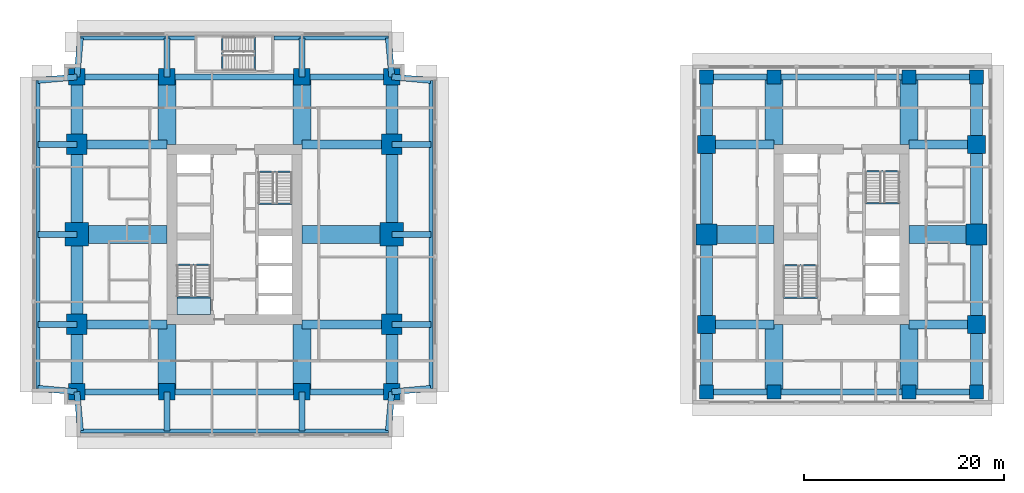
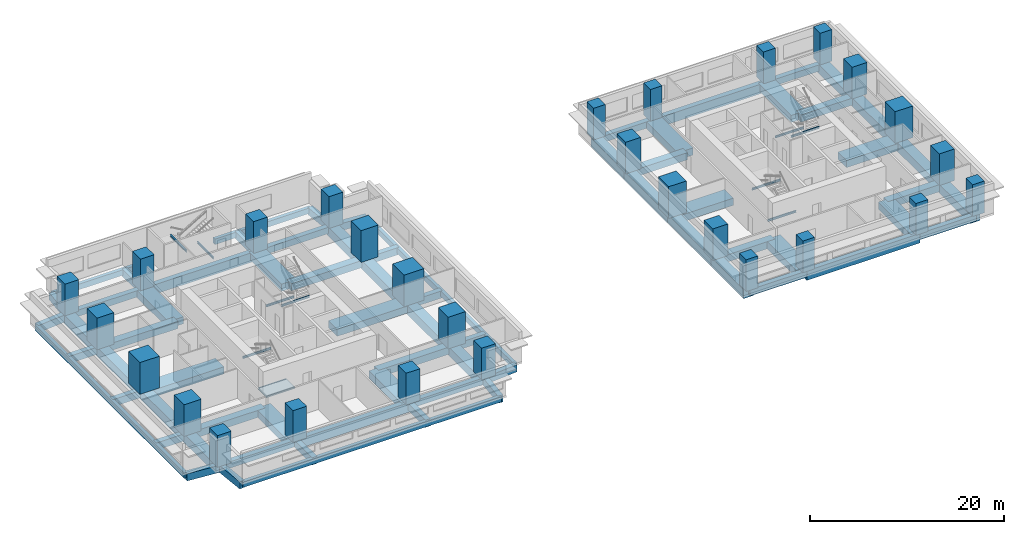
# One storey, part 1 of 11: 81 beams, 28 columns, 1 slab, 1 element without a shape of its own.
"""IFC4 building model written with IfcOpenShell, lengths in metres."""

import ifcopenshell
import ifcopenshell.guid

model = None  # the IFC model being written
_history = None  # IfcOwnerHistory: only IFC2X3 demands one
_inside = {}  # id of a spatial element -> (the spatial element, [elements in it])
_under = {}  # id of a project, library or spatial element -> (it, [spatial elements below it])
_declared = {}  # id of a project -> (the project, [libraries it declares])
_typed = {}  # id of a type object -> (the type object, [elements of that type])
_made_of = {}  # id of a material, layer set ... -> (it, [elements and type objects made of it])


def new_model(schema):
    """Start an empty IFC model of exactly this schema.

    Asked for "IFC4X3", IfcOpenShell would pick the latest addendum, in which some entities
    have other attributes; the version numbers below select the first issue.
    IFC2X3 requires an IfcOwnerHistory on every rooted entity: one is made here for all.
    """
    global model, _history
    if schema == "IFC4X3":
        model = ifcopenshell.file(schema_version=(4, 3, 0, 0))
    else:
        model = ifcopenshell.file(schema=schema)
    _inside.clear()
    _under.clear()
    _declared.clear()
    _typed.clear()
    _made_of.clear()
    _history = None
    if model.schema == "IFC2X3":
        org = make("IfcOrganization", Name="unknown")
        user = make(
            "IfcPersonAndOrganization",
            ThePerson=make("IfcPerson", FamilyName="unknown"),
            TheOrganization=org,
        )
        app = make(
            "IfcApplication",
            ApplicationDeveloper=org,
            Version="unknown",
            ApplicationFullName="unknown",
            ApplicationIdentifier="unknown",
        )
        _history = make(
            "IfcOwnerHistory",
            OwningUser=user,
            OwningApplication=app,
            ChangeAction="ADDED",
            CreationDate=0,
        )
    return model


def make(cls, **values):
    """One entity of the class cls with the attributes given. An attribute that is None is left unset."""
    return model.create_entity(
        cls, **{name: value for name, value in values.items() if value is not None}
    )


def rooted(cls, **values):
    """An entity with a GlobalId (a new one), such as an element, a storey or a relation."""
    return make(cls, GlobalId=ifcopenshell.guid.new(), OwnerHistory=_history, **values)


def si_unit(unit_type, name, prefix=None):
    """IfcSIUnit, for example si_unit("LENGTHUNIT", "METRE", prefix="MILLI")."""
    return make("IfcSIUnit", UnitType=unit_type, Prefix=prefix, Name=name)


def assignment(units):
    """IfcUnitAssignment: the units of a project."""
    return None if units is None else make("IfcUnitAssignment", Units=units)


def point(xyz):
    """IfcCartesianPoint."""
    return None if xyz is None else make("IfcCartesianPoint", Coordinates=xyz)


def direction(xyz):
    """IfcDirection."""
    return None if xyz is None else make("IfcDirection", DirectionRatios=xyz)


def frame(location, z_axis=None, x_axis=None):
    """IfcAxis2Placement3D, a coordinate frame: its origin and axes. An axis left out is left unset."""
    return make(
        "IfcAxis2Placement3D",
        Location=point(location),
        Axis=direction(z_axis),
        RefDirection=direction(x_axis),
    )


def frame_2d(location, x_axis=None):
    """IfcAxis2Placement2D, a coordinate frame in the plane: its origin and x axis."""
    return make(
        "IfcAxis2Placement2D", Location=point(location), RefDirection=direction(x_axis)
    )


def origin():
    """The frame at (0, 0, 0) with its axes left unset."""
    return frame((0.0, 0.0, 0.0))


def origin_2d():
    """The frame at (0, 0) in the plane with its x axis left unset."""
    return frame_2d((0.0, 0.0))


def place(relative_to, where):
    """IfcLocalPlacement: puts the frame where relative to a parent placement (None: the world)."""
    return make(
        "IfcLocalPlacement", PlacementRelTo=relative_to, RelativePlacement=where
    )


def context(
    kind, dimensions, precision=None, world=None, true_north=None, identifier=None
):
    """IfcGeometricRepresentationContext, for example the 3D "Model" context."""
    return make(
        "IfcGeometricRepresentationContext",
        ContextIdentifier=identifier,
        ContextType=kind,
        CoordinateSpaceDimension=dimensions,
        Precision=precision,
        WorldCoordinateSystem=world,
        TrueNorth=true_north,
    )


def subcontext(parent, identifier, kind, view, scale=None):
    """IfcGeometricRepresentationSubContext, for example "Body" below "Model"."""
    return make(
        "IfcGeometricRepresentationSubContext",
        ContextIdentifier=identifier,
        ContextType=kind,
        ParentContext=parent,
        TargetScale=scale,
        TargetView=view,
    )


def project(units=None, contexts=None):
    """IfcProject with its units and contexts."""
    return rooted(
        "IfcProject",
        Name="project",
        RepresentationContexts=contexts,
        UnitsInContext=assignment(units),
    )


def spatial(cls, under=None, at=None, **own):
    """A site, building, storey or space (cls), placed at a placement, below another one or the project."""
    s = rooted(cls, ObjectPlacement=at, **own)
    if under is not None:
        _under.setdefault(under.id(), (under, []))[1].append(s)
    return s


def polyline(points):
    """IfcPolyline through the points."""
    return make("IfcPolyline", Points=[point(p) for p in points])


def profile(cls, at=None, kind="AREA", **sizes):
    """A parametric profile (cls). Its sizes go by their IFC names, for example OverallWidth=200.0."""
    return make(cls, ProfileType=kind, Position=at, **sizes)


def rectangle(**sizes):
    """IfcRectangleProfileDef."""
    return profile("IfcRectangleProfileDef", **sizes)


def i_section(**sizes):
    """IfcIShapeProfileDef."""
    return profile("IfcIShapeProfileDef", **sizes)


def outline(outer, holes=None, kind="AREA"):
    """IfcArbitraryClosedProfileDef: a profile drawn as a closed curve; with holes, ...WithVoids."""
    if holes is None:
        return make("IfcArbitraryClosedProfileDef", ProfileType=kind, OuterCurve=outer)
    return make(
        "IfcArbitraryProfileDefWithVoids",
        ProfileType=kind,
        OuterCurve=outer,
        InnerCurves=holes,
    )


def extrude(swept, where, along, depth):
    """IfcExtrudedAreaSolid: the profile swept, set in the frame where, extruded along a direction by depth."""
    return make(
        "IfcExtrudedAreaSolid",
        SweptArea=swept,
        Position=where,
        ExtrudedDirection=direction(along),
        Depth=depth,
    )


def shape(context_of_items, identifier, shape_type, items):
    """IfcShapeRepresentation: the items that make up one representation, for example the "Body"."""
    return make(
        "IfcShapeRepresentation",
        ContextOfItems=context_of_items,
        RepresentationIdentifier=identifier,
        RepresentationType=shape_type,
        Items=items,
    )


def material(Name=None, Category=None):
    """IfcMaterial."""
    return make("IfcMaterial", Name=Name, Category=Category)


def layer(
    of_material, thickness, ventilated=None, Name=None, Category=None, Priority=None
):
    """IfcMaterialLayer: one layer of a wall or slab, of a material (None: an air gap)."""
    return make(
        "IfcMaterialLayer",
        Material=of_material,
        LayerThickness=thickness,
        IsVentilated=ventilated,
        Name=Name,
        Category=Category,
        Priority=Priority,
    )


def layer_set(layers, Name=None):
    """IfcMaterialLayerSet."""
    return make("IfcMaterialLayerSet", MaterialLayers=layers, LayerSetName=Name)


def material_profile(
    of_material, cross_section, Name=None, Category=None, Priority=None
):
    """IfcMaterialProfile: a cross section and its material."""
    return make(
        "IfcMaterialProfile",
        Name=Name,
        Material=of_material,
        Profile=cross_section,
        Priority=Priority,
        Category=Category,
    )


def profile_set(profiles, Name=None, composite=None):
    """IfcMaterialProfileSet."""
    return make(
        "IfcMaterialProfileSet",
        Name=Name,
        MaterialProfiles=profiles,
        CompositeProfile=composite,
    )


def made_of(thing, what):
    """Note that an element or type object is made of a material, layer set ...; save() writes the relation."""
    if what is not None:
        _made_of.setdefault(what.id(), (what, []))[1].append(thing)
    return thing


def type_object(cls, material=None, **own):
    """A type object (cls), such as IfcWallType, which elements share."""
    return made_of(rooted(cls, **own), material)


def element(
    cls,
    number,
    at=None,
    inside=None,
    cuts=None,
    type_object=None,
    material=None,
    context=None,
    identifier="Body",
    shape_type=None,
    held_by="IfcProductDefinitionShape",
    body=None,
    shapes=None,
    **own,
):
    """One element of the class cls, such as IfcWall. Its Tag is "e" and its number.

    at: its placement. inside: the storey or other place that contains it. cuts: it is an
    opening in that element (IfcRelVoidsElement). A single representation is given by context,
    identifier, shape_type and body (its items); several are given by shapes. held_by: the class
    of the entity that holds the representations. save() writes the other relations.
    """
    e = rooted(cls, Tag="e%d" % number, ObjectPlacement=at, **own)
    if body is not None:
        shapes = [shape(context, identifier, shape_type, body)]
    if shapes is not None:
        e.Representation = make(held_by, Representations=shapes)
    if inside is not None:
        _inside.setdefault(inside.id(), (inside, []))[1].append(e)
    if cuts is not None:
        rooted(
            "IfcRelVoidsElement", RelatingBuildingElement=cuts, RelatedOpeningElement=e
        )
    if type_object is not None:
        _typed.setdefault(type_object.id(), (type_object, []))[1].append(e)
    return made_of(e, material)


def aggregate(whole, parts):
    """IfcRelAggregates: a whole, such as a stair, and the parts it consists of."""
    return rooted("IfcRelAggregates", RelatingObject=whole, RelatedObjects=parts)


def save(model, path):
    """Write the relations noted so far, then the file.

    IfcRelAggregates (storeys below a building ...), IfcRelContainedInSpatialStructure (elements
    in a storey), IfcRelDefinesByType, IfcRelAssociatesMaterial and IfcRelDeclares: one each for
    every whole, place, type object, material and project.
    """
    for whole, parts in _under.values():
        aggregate(whole, parts)
    for where, things in _inside.values():
        rooted(
            "IfcRelContainedInSpatialStructure",
            RelatedElements=things,
            RelatingStructure=where,
        )
    for kind, things in _typed.values():
        rooted("IfcRelDefinesByType", RelatedObjects=things, RelatingType=kind)
    for what, things in _made_of.values():
        rooted("IfcRelAssociatesMaterial", RelatedObjects=things, RelatingMaterial=what)
    for by, libraries in _declared.values():
        rooted("IfcRelDeclares", RelatingContext=by, RelatedDefinitions=libraries)
    model.write(path)


model = new_model("IFC4")

# Units and contexts
model_context = context("Model", 3, precision=1e-05, world=origin(), true_north=direction((0.0, 1.0)))
body_context = subcontext(model_context, "Body", "Model", "MODEL_VIEW")
ifc_project = project(units=[si_unit("LENGTHUNIT", "METRE"), si_unit("AREAUNIT", "SQUARE_METRE"), si_unit("VOLUMEUNIT", "CUBIC_METRE"), si_unit("PLANEANGLEUNIT", "RADIAN"), si_unit("MASSUNIT", "GRAM", prefix="KILO")], contexts=[model_context])

# Site, building, storey
site_placement = place(None, origin())
site = spatial("IfcSite", under=ifc_project, at=site_placement, CompositionType="ELEMENT")
building_placement = place(site_placement, origin())
building = spatial("IfcBuilding", under=site, at=building_placement, Name="Namib Vertical Campus", CompositionType="ELEMENT")
storey_placement = place(building_placement, frame((0.0, 0.0, 197.0)))
storey = spatial("IfcBuildingStorey", under=building, at=storey_placement, Name="L46", CompositionType="ELEMENT", Elevation=197.0)

# Columns
ifc_material_1 = material(Name="Concrete C60/75", Category="concrete")
ifc_material_profile_1 = material_profile(ifc_material_1, rectangle(XDim=1.39990234375, YDim=1.39990234375, at=origin_2d()))
ifc_profile_set_1 = profile_set([ifc_material_profile_1], Name="Concrete C60/75")
column_type_1 = type_object("IfcColumnType", Name="Column RC 1400x1400", PredefinedType="COLUMN", material=ifc_profile_set_1)
for number, where, z_axis, x_axis, name in (
    (1, (67.5, 4.5, 0.0), (0.0, 0.0, 1.0), (1.0, 0.0, 0.0), "Column C140 L46"),
    (2, (74.25, 4.5, 0.0), (0.0, 0.0, 1.0), (1.0, 0.0, 0.0), "Column C140 L46"),
    (3, (87.75, 4.5, 0.0), (0.0, 0.0, 1.0), (1.0, 0.0, 0.0), "Column C140 L46"),
    (4, (94.5, 4.5, 0.0), (0.0, 0.0, 1.0), (1.0, 0.0, 0.0), "Column C140 L46"),
    (5, (67.5, 36.0, 0.0), (0.0, 0.0, 1.0), (1.0, 0.0, 0.0), "Column C140 L46"),
    (6, (74.25, 36.0, 0.0), (0.0, 0.0, 1.0), (1.0, 0.0, 0.0), "Column C140 L46"),
    (7, (87.75, 36.0, 0.0), (0.0, 0.0, 1.0), (1.0, 0.0, 0.0), "Column C140 L46"),
    (8, (94.5, 36.0, 0.0), (0.0, 0.0, 1.0), (1.0, 0.0, 0.0), "Column C140 L46"),
):
    element("IfcColumn", number, at=place(storey_placement, frame(where, z_axis=z_axis, x_axis=x_axis)), inside=storey, type_object=column_type_1, Name=name, PredefinedType="COLUMN", context=body_context, shape_type="SweptSolid", body=[
        extrude(rectangle(XDim=1.39990234375, YDim=1.39990234375, at=origin_2d()), origin(), (0.0, 0.0, 1.0), 4.0),
    ])
ifc_material_2 = material(Name="Concrete C60/75", Category="concrete")
ifc_material_profile_2 = material_profile(ifc_material_2, rectangle(XDim=1.64990234375, YDim=1.64990234375, at=origin_2d()))
ifc_profile_set_2 = profile_set([ifc_material_profile_2], Name="Concrete C60/75")
column_type_2 = type_object("IfcColumnType", Name="Column RC 1650x1650", PredefinedType="COLUMN", material=ifc_profile_set_2)
for number, where, z_axis, x_axis, name in (
    (9, (4.5, 4.5, 0.0), (0.0, 0.0, 1.0), (1.0, 0.0, 0.0), "Column C165 L46"),
    (10, (13.5, 4.5, 0.0), (0.0, 0.0, 1.0), (1.0, 0.0, 0.0), "Column C165 L46"),
    (11, (27.0, 4.5, 0.0), (0.0, 0.0, 1.0), (1.0, 0.0, 0.0), "Column C165 L46"),
    (12, (36.0, 4.5, 0.0), (0.0, 0.0, 1.0), (1.0, 0.0, 0.0), "Column C165 L46"),
    (13, (4.5, 36.0, 0.0), (0.0, 0.0, 1.0), (1.0, 0.0, 0.0), "Column C165 L46"),
    (14, (13.5, 36.0, 0.0), (0.0, 0.0, 1.0), (1.0, 0.0, 0.0), "Column C165 L46"),
    (15, (27.0, 36.0, 0.0), (0.0, 0.0, 1.0), (1.0, 0.0, 0.0), "Column C165 L46"),
    (16, (36.0, 36.0, 0.0), (0.0, 0.0, 1.0), (1.0, 0.0, 0.0), "Column C165 L46"),
):
    element("IfcColumn", number, at=place(storey_placement, frame(where, z_axis=z_axis, x_axis=x_axis)), inside=storey, type_object=column_type_2, Name=name, PredefinedType="COLUMN", context=body_context, shape_type="SweptSolid", body=[
        extrude(rectangle(XDim=1.64990234375, YDim=1.64990234375, at=origin_2d()), origin(), (0.0, 0.0, 1.0), 4.0),
    ])
ifc_material_3 = material(Name="Concrete C60/75", Category="concrete")
ifc_material_profile_3 = material_profile(ifc_material_3, rectangle(XDim=1.800048828125, YDim=1.800048828125, at=origin_2d()))
ifc_profile_set_3 = profile_set([ifc_material_profile_3], Name="Concrete C60/75")
column_type_3 = type_object("IfcColumnType", Name="Column RC 1800x1800", PredefinedType="COLUMN", material=ifc_profile_set_3)
for number, where, z_axis, x_axis, name in (
    (17, (67.5, 11.25, 0.0), (0.0, 0.0, 1.0), (1.0, 0.0, 0.0), "Column C180 L46"),
    (18, (94.5, 11.25, 0.0), (0.0, 0.0, 1.0), (1.0, 0.0, 0.0), "Column C180 L46"),
    (19, (67.5, 29.25, 0.0), (0.0, 0.0, 1.0), (1.0, 0.0, 0.0), "Column C180 L46"),
    (20, (94.5, 29.25, 0.0), (0.0, 0.0, 1.0), (1.0, 0.0, 0.0), "Column C180 L46"),
):
    element("IfcColumn", number, at=place(storey_placement, frame(where, z_axis=z_axis, x_axis=x_axis)), inside=storey, type_object=column_type_3, Name=name, PredefinedType="COLUMN", context=body_context, shape_type="SweptSolid", body=[
        extrude(rectangle(XDim=1.800048828125, YDim=1.800048828125, at=origin_2d()), origin(), (0.0, 0.0, 1.0), 4.0),
    ])
ifc_material_4 = material(Name="Concrete C60/75", Category="concrete")
ifc_material_profile_4 = material_profile(ifc_material_4, rectangle(XDim=2.050048828125, YDim=2.050048828125, at=origin_2d()))
ifc_profile_set_4 = profile_set([ifc_material_profile_4], Name="Concrete C60/75")
column_type_4 = type_object("IfcColumnType", Name="Column RC 2050x2050", PredefinedType="COLUMN", material=ifc_profile_set_4)
for number, where, z_axis, x_axis, name in (
    (21, (4.5, 11.25, 0.0), (0.0, 0.0, 1.0), (1.0, 0.0, 0.0), "Column C205 L46"),
    (22, (36.0, 11.25, 0.0), (0.0, 0.0, 1.0), (1.0, 0.0, 0.0), "Column C205 L46"),
    (23, (4.5, 29.25, 0.0), (0.0, 0.0, 1.0), (1.0, 0.0, 0.0), "Column C205 L46"),
    (24, (36.0, 29.25, 0.0), (0.0, 0.0, 1.0), (1.0, 0.0, 0.0), "Column C205 L46"),
):
    element("IfcColumn", number, at=place(storey_placement, frame(where, z_axis=z_axis, x_axis=x_axis)), inside=storey, type_object=column_type_4, Name=name, PredefinedType="COLUMN", context=body_context, shape_type="SweptSolid", body=[
        extrude(rectangle(XDim=2.050048828125, YDim=2.050048828125, at=origin_2d()), origin(), (0.0, 0.0, 1.0), 4.0),
    ])
ifc_material_5 = material(Name="Concrete C60/75", Category="concrete")
ifc_material_profile_5 = material_profile(ifc_material_5, rectangle(XDim=2.10009765625, YDim=2.10009765625, at=origin_2d()))
ifc_profile_set_5 = profile_set([ifc_material_profile_5], Name="Concrete C60/75")
column_type_5 = type_object("IfcColumnType", Name="Column RC 2100x2100", PredefinedType="COLUMN", material=ifc_profile_set_5)
for number, where, z_axis, x_axis, name in (
    (25, (67.5, 20.25, 0.0), (0.0, 0.0, 1.0), (1.0, 0.0, 0.0), "Column C210 L46"),
    (26, (94.5, 20.25, 0.0), (0.0, 0.0, 1.0), (1.0, 0.0, 0.0), "Column C210 L46"),
):
    element("IfcColumn", number, at=place(storey_placement, frame(where, z_axis=z_axis, x_axis=x_axis)), inside=storey, type_object=column_type_5, Name=name, PredefinedType="COLUMN", context=body_context, shape_type="SweptSolid", body=[
        extrude(rectangle(XDim=2.10009765625, YDim=2.10009765625, at=origin_2d()), origin(), (0.0, 0.0, 1.0), 4.0),
    ])
ifc_material_6 = material(Name="Concrete C60/75", Category="concrete")
ifc_material_profile_6 = material_profile(ifc_material_6, rectangle(XDim=2.35009765625, YDim=2.35009765625, at=origin_2d()))
ifc_profile_set_6 = profile_set([ifc_material_profile_6], Name="Concrete C60/75")
column_type_6 = type_object("IfcColumnType", Name="Column RC 2350x2350", PredefinedType="COLUMN", material=ifc_profile_set_6)
for number, where, z_axis, x_axis, name in (
    (27, (4.5, 20.25, 0.0), (0.0, 0.0, 1.0), (1.0, 0.0, 0.0), "Column C235 L46"),
    (28, (36.0, 20.25, 0.0), (0.0, 0.0, 1.0), (1.0, 0.0, 0.0), "Column C235 L46"),
):
    element("IfcColumn", number, at=place(storey_placement, frame(where, z_axis=z_axis, x_axis=x_axis)), inside=storey, type_object=column_type_6, Name=name, PredefinedType="COLUMN", context=body_context, shape_type="SweptSolid", body=[
        extrude(rectangle(XDim=2.35009765625, YDim=2.35009765625, at=origin_2d()), origin(), (0.0, 0.0, 1.0), 4.0),
    ])

# Beams
ifc_material_7 = material(Name="Concrete C40/50", Category="concrete")
ifc_material_profile_7 = material_profile(ifc_material_7, rectangle(XDim=0.60009765625, YDim=0.89990234375, at=origin_2d()))
ifc_profile_set_7 = profile_set([ifc_material_profile_7], Name="Concrete C40/50")
beam_type_1 = type_object("IfcBeamType", Name="Cantilever girder RC 600x900", PredefinedType="BEAM", material=ifc_profile_set_7)
beam_1_placement = place(storey_placement, frame((4.5, 4.5, -0.699951171875), z_axis=(0.089411326146, -0.995994786511, 0.0), x_axis=(0.995994786511, 0.089411326146, 0.0)))
element("IfcBeam", 29, at=beam_1_placement, inside=storey, type_object=beam_type_1, Name="Beam B3 L46", PredefinedType="BEAM", context=body_context, shape_type="SweptSolid", body=[
    extrude(rectangle(XDim=0.60009765625, YDim=0.89990234375, at=origin_2d()), origin(), (0.0, 0.0, 1.0), 3.91552734375),
])
for number, where, z_axis, x_axis, name in (
    (30, (13.5, 4.5, -0.699951171875), (0.0, -1.0, 0.0), (1.0, 0.0, 0.0), "Beam B3 L46"),
    (31, (27.0, 4.5, -0.699951171875), (0.0, -1.0, 0.0), (1.0, 0.0, 0.0), "Beam B3 L46"),
):
    element("IfcBeam", number, at=place(storey_placement, frame(where, z_axis=z_axis, x_axis=x_axis)), inside=storey, type_object=beam_type_1, Name=name, PredefinedType="BEAM", context=body_context, shape_type="SweptSolid", body=[
        extrude(rectangle(XDim=0.60009765625, YDim=0.89990234375, at=origin_2d()), origin(), (0.0, 0.0, 1.0), 3.89990234375),
    ])
for number, where, z_axis, x_axis, name in (
    (32, (36.0, 4.5, -0.699951171875), (-0.089411326146, -0.995994786511, 0.0), (0.995994786511, -0.089411326146, 0.0), "Beam B3 L46"),
    (33, (4.5, 36.0, -0.699951171875), (0.089411326146, 0.995994786511, 0.0), (-0.995994786511, 0.089411326146, 0.0), "Beam B3 L46"),
):
    element("IfcBeam", number, at=place(storey_placement, frame(where, z_axis=z_axis, x_axis=x_axis)), inside=storey, type_object=beam_type_1, Name=name, PredefinedType="BEAM", context=body_context, shape_type="SweptSolid", body=[
        extrude(rectangle(XDim=0.60009765625, YDim=0.89990234375, at=origin_2d()), origin(), (0.0, 0.0, 1.0), 3.91552734375),
    ])
for number, where, z_axis, x_axis, name in (
    (34, (13.5, 36.0, -0.699951171875), (0.0, 1.0, 0.0), (-1.0, 0.0, 0.0), "Beam B3 L46"),
    (35, (27.0, 36.0, -0.699951171875), (0.0, 1.0, 0.0), (-1.0, 0.0, 0.0), "Beam B3 L46"),
):
    element("IfcBeam", number, at=place(storey_placement, frame(where, z_axis=z_axis, x_axis=x_axis)), inside=storey, type_object=beam_type_1, Name=name, PredefinedType="BEAM", context=body_context, shape_type="SweptSolid", body=[
        extrude(rectangle(XDim=0.60009765625, YDim=0.89990234375, at=origin_2d()), origin(), (0.0, 0.0, 1.0), 3.89990234375),
    ])
for number, where, z_axis, x_axis, name in (
    (36, (36.0, 36.0, -0.699951171875), (-0.089411326146, 0.995994786511, 0.0), (-0.995994786511, -0.089411326146, 0.0), "Beam B3 L46"),
    (37, (4.5, 4.5, -0.699951171875), (-0.995994786511, 0.089411326146, 0.0), (-0.089411326146, -0.995994786511, 0.0), "Beam B3 L46"),
):
    element("IfcBeam", number, at=place(storey_placement, frame(where, z_axis=z_axis, x_axis=x_axis)), inside=storey, type_object=beam_type_1, Name=name, PredefinedType="BEAM", context=body_context, shape_type="SweptSolid", body=[
        extrude(rectangle(XDim=0.60009765625, YDim=0.89990234375, at=origin_2d()), origin(), (0.0, 0.0, 1.0), 3.91552734375),
    ])
for number, where, z_axis, x_axis, name in (
    (38, (4.5, 11.25, -0.699951171875), (-1.0, 0.0, 0.0), (0.0, -1.0, 0.0), "Beam B3 L46"),
    (39, (4.5, 20.25, -0.699951171875), (-1.0, 0.0, 0.0), (0.0, -1.0, 0.0), "Beam B3 L46"),
    (40, (4.5, 29.25, -0.699951171875), (-1.0, 0.0, 0.0), (0.0, -1.0, 0.0), "Beam B3 L46"),
):
    element("IfcBeam", number, at=place(storey_placement, frame(where, z_axis=z_axis, x_axis=x_axis)), inside=storey, type_object=beam_type_1, Name=name, PredefinedType="BEAM", context=body_context, shape_type="SweptSolid", body=[
        extrude(rectangle(XDim=0.60009765625, YDim=0.89990234375, at=origin_2d()), origin(), (0.0, 0.0, 1.0), 3.89990234375),
    ])
for number, where, z_axis, x_axis, name in (
    (41, (4.5, 36.0, -0.699951171875), (-0.995994786511, -0.089411326146, 0.0), (0.089411326146, -0.995994786511, 0.0), "Beam B3 L46"),
    (42, (36.0, 4.5, -0.699951171875), (0.995994786511, 0.089411326146, 0.0), (-0.089411326146, 0.995994786511, 0.0), "Beam B3 L46"),
):
    element("IfcBeam", number, at=place(storey_placement, frame(where, z_axis=z_axis, x_axis=x_axis)), inside=storey, type_object=beam_type_1, Name=name, PredefinedType="BEAM", context=body_context, shape_type="SweptSolid", body=[
        extrude(rectangle(XDim=0.60009765625, YDim=0.89990234375, at=origin_2d()), origin(), (0.0, 0.0, 1.0), 3.91552734375),
    ])
for number, where, z_axis, x_axis, name in (
    (43, (36.0, 11.25, -0.699951171875), (1.0, 0.0, 0.0), (0.0, 1.0, 0.0), "Beam B3 L46"),
    (44, (36.0, 20.25, -0.699951171875), (1.0, 0.0, 0.0), (0.0, 1.0, 0.0), "Beam B3 L46"),
    (45, (36.0, 29.25, -0.699951171875), (1.0, 0.0, 0.0), (0.0, 1.0, 0.0), "Beam B3 L46"),
):
    element("IfcBeam", number, at=place(storey_placement, frame(where, z_axis=z_axis, x_axis=x_axis)), inside=storey, type_object=beam_type_1, Name=name, PredefinedType="BEAM", context=body_context, shape_type="SweptSolid", body=[
        extrude(rectangle(XDim=0.60009765625, YDim=0.89990234375, at=origin_2d()), origin(), (0.0, 0.0, 1.0), 3.89990234375),
    ])
beam_2_placement = place(storey_placement, frame((36.0, 36.0, -0.699951171875), z_axis=(0.995994786511, -0.089411326146, 0.0), x_axis=(0.089411326146, 0.995994786511, 0.0)))
element("IfcBeam", 46, at=beam_2_placement, inside=storey, type_object=beam_type_1, Name="Beam B3 L46", PredefinedType="BEAM", context=body_context, shape_type="SweptSolid", body=[
    extrude(rectangle(XDim=0.60009765625, YDim=0.89990234375, at=origin_2d()), origin(), (0.0, 0.0, 1.0), 3.91552734375),
])
ifc_material_8 = material(Name="Concrete C40/50", Category="concrete")
ifc_material_profile_8 = material_profile(ifc_material_8, rectangle(XDim=0.39990234375, YDim=0.699951171875, at=origin_2d()))
ifc_profile_set_8 = profile_set([ifc_material_profile_8], Name="Concrete C40/50")
beam_type_2 = type_object("IfcBeamType", Name="Edge beam RC 400x700", PredefinedType="SPANDREL", material=ifc_profile_set_8)
beam_3_placement = place(storey_placement, frame((4.85009765625, 0.60009765625, -0.60009765625), z_axis=(1.0, 0.0, 0.0), x_axis=(0.0, 1.0, 0.0)))
element("IfcBeam", 47, at=beam_3_placement, inside=storey, type_object=beam_type_2, Name="Beam B4 L46", PredefinedType="SPANDREL", context=body_context, shape_type="SweptSolid", body=[
    extrude(rectangle(XDim=0.39990234375, YDim=0.699951171875, at=origin_2d()), origin(), (0.0, 0.0, 1.0), 30.7998046875),
])
for number, where, z_axis, x_axis, name in (
    (48, (4.85009765625, 39.89990234375, -0.60009765625), (1.0, 0.0, 0.0), (0.0, 1.0, 0.0), "Beam B4 L46"),
    (49, (24.199951171875, 39.89990234375, -0.60009765625), (1.0, 0.0, 0.0), (0.0, 1.0, 0.0), "Beam B4 L46"),
):
    element("IfcBeam", number, at=place(storey_placement, frame(where, z_axis=z_axis, x_axis=x_axis)), inside=storey, type_object=beam_type_2, Name=name, PredefinedType="SPANDREL", context=body_context, shape_type="SweptSolid", body=[
        extrude(rectangle(XDim=0.39990234375, YDim=0.699951171875, at=origin_2d()), origin(), (0.0, 0.0, 1.0), 11.449951171875),
    ])
for number, where, z_axis, x_axis, name in (
    (50, (0.60009765625, 4.85009765625, -0.60009765625), (0.0, 1.0, 0.0), (-1.0, 0.0, 0.0), "Beam B4 L46"),
    (51, (39.89990234375, 4.85009765625, -0.60009765625), (0.0, 1.0, 0.0), (-1.0, 0.0, 0.0), "Beam B4 L46"),
):
    element("IfcBeam", number, at=place(storey_placement, frame(where, z_axis=z_axis, x_axis=x_axis)), inside=storey, type_object=beam_type_2, Name=name, PredefinedType="SPANDREL", context=body_context, shape_type="SweptSolid", body=[
        extrude(rectangle(XDim=0.39990234375, YDim=0.699951171875, at=origin_2d()), origin(), (0.0, 0.0, 1.0), 30.7998046875),
    ])
ifc_material_9 = material(Name="Concrete C40/50", Category="concrete")
ifc_material_profile_9 = material_profile(ifc_material_9, rectangle(XDim=0.89990234375, YDim=0.89990234375, at=origin_2d()))
ifc_profile_set_9 = profile_set([ifc_material_profile_9], Name="Concrete C40/50")
beam_type_3 = type_object("IfcBeamType", Name="Face girder RC 900x900", PredefinedType="BEAM", material=ifc_profile_set_9)
for number, where, z_axis, x_axis, name in (
    (52, (4.5, 11.25, -0.699951171875), (1.0, 0.0, 0.0), (0.0, 1.0, 0.0), "Beam B10 L46"),
    (53, (36.0, 11.25, -0.699951171875), (-1.0, 0.0, 0.0), (0.0, -1.0, 0.0), "Beam B10 L46"),
    (54, (4.5, 29.25, -0.699951171875), (1.0, 0.0, 0.0), (0.0, 1.0, 0.0), "Beam B10 L46"),
    (55, (36.0, 29.25, -0.699951171875), (-1.0, 0.0, 0.0), (0.0, -1.0, 0.0), "Beam B10 L46"),
):
    element("IfcBeam", number, at=place(storey_placement, frame(where, z_axis=z_axis, x_axis=x_axis)), inside=storey, type_object=beam_type_3, Name=name, PredefinedType="BEAM", context=body_context, shape_type="SweptSolid", body=[
        extrude(rectangle(XDim=0.89990234375, YDim=0.89990234375, at=origin_2d()), origin(), (0.0, 0.0, 1.0), 9.0),
    ])
for number, where, z_axis, x_axis, name in (
    (56, (67.5, 11.25, -0.699951171875), (1.0, 0.0, 0.0), (0.0, 1.0, 0.0), "Beam B10 L46"),
    (57, (94.5, 11.25, -0.699951171875), (-1.0, 0.0, 0.0), (0.0, -1.0, 0.0), "Beam B10 L46"),
    (58, (67.5, 29.25, -0.699951171875), (1.0, 0.0, 0.0), (0.0, 1.0, 0.0), "Beam B10 L46"),
    (59, (94.5, 29.25, -0.699951171875), (-1.0, 0.0, 0.0), (0.0, -1.0, 0.0), "Beam B10 L46"),
):
    element("IfcBeam", number, at=place(storey_placement, frame(where, z_axis=z_axis, x_axis=x_axis)), inside=storey, type_object=beam_type_3, Name=name, PredefinedType="BEAM", context=body_context, shape_type="SweptSolid", body=[
        extrude(rectangle(XDim=0.89990234375, YDim=0.89990234375, at=origin_2d()), origin(), (0.0, 0.0, 1.0), 6.75),
    ])
ifc_material_10 = material(Name="Concrete C40/50", Category="concrete")
ifc_material_profile_10 = material_profile(ifc_material_10, rectangle(XDim=1.199951171875, YDim=1.10009765625, at=origin_2d()))
ifc_profile_set_10 = profile_set([ifc_material_profile_10], Name="Concrete C40/50")
beam_type_4 = type_object("IfcBeamType", Name="Face ring beam RC 1200x1100", PredefinedType="BEAM", material=ifc_profile_set_10)
beam_4_placement = place(storey_placement, frame((4.5, 4.5, -0.800048828125), z_axis=(0.0, 1.0, 0.0), x_axis=(-1.0, 0.0, 0.0)))
element("IfcBeam", 60, at=beam_4_placement, inside=storey, type_object=beam_type_4, Name="Beam B11 L46", PredefinedType="BEAM", context=body_context, shape_type="SweptSolid", body=[
    extrude(rectangle(XDim=1.199951171875, YDim=1.10009765625, at=origin_2d()), origin(), (0.0, 0.0, 1.0), 6.75),
])
for number, where, z_axis, x_axis, name in (
    (61, (4.5, 11.25, -0.800048828125), (0.0, 1.0, 0.0), (-1.0, 0.0, 0.0), "Beam B11 L46"),
    (62, (4.5, 20.25, -0.800048828125), (0.0, 1.0, 0.0), (-1.0, 0.0, 0.0), "Beam B11 L46"),
):
    element("IfcBeam", number, at=place(storey_placement, frame(where, z_axis=z_axis, x_axis=x_axis)), inside=storey, type_object=beam_type_4, Name=name, PredefinedType="BEAM", context=body_context, shape_type="SweptSolid", body=[
        extrude(rectangle(XDim=1.199951171875, YDim=1.10009765625, at=origin_2d()), origin(), (0.0, 0.0, 1.0), 9.0),
    ])
for number, where, z_axis, x_axis, name in (
    (63, (4.5, 29.25, -0.800048828125), (0.0, 1.0, 0.0), (-1.0, 0.0, 0.0), "Beam B11 L46"),
    (64, (36.0, 4.5, -0.800048828125), (0.0, 1.0, 0.0), (-1.0, 0.0, 0.0), "Beam B11 L46"),
):
    element("IfcBeam", number, at=place(storey_placement, frame(where, z_axis=z_axis, x_axis=x_axis)), inside=storey, type_object=beam_type_4, Name=name, PredefinedType="BEAM", context=body_context, shape_type="SweptSolid", body=[
        extrude(rectangle(XDim=1.199951171875, YDim=1.10009765625, at=origin_2d()), origin(), (0.0, 0.0, 1.0), 6.75),
    ])
for number, where, z_axis, x_axis, name in (
    (65, (36.0, 11.25, -0.800048828125), (0.0, 1.0, 0.0), (-1.0, 0.0, 0.0), "Beam B11 L46"),
    (66, (36.0, 20.25, -0.800048828125), (0.0, 1.0, 0.0), (-1.0, 0.0, 0.0), "Beam B11 L46"),
):
    element("IfcBeam", number, at=place(storey_placement, frame(where, z_axis=z_axis, x_axis=x_axis)), inside=storey, type_object=beam_type_4, Name=name, PredefinedType="BEAM", context=body_context, shape_type="SweptSolid", body=[
        extrude(rectangle(XDim=1.199951171875, YDim=1.10009765625, at=origin_2d()), origin(), (0.0, 0.0, 1.0), 9.0),
    ])
for number, where, z_axis, x_axis, name in (
    (67, (36.0, 29.25, -0.800048828125), (0.0, 1.0, 0.0), (-1.0, 0.0, 0.0), "Beam B11 L46"),
    (68, (67.5, 4.5, -0.800048828125), (0.0, 1.0, 0.0), (-1.0, 0.0, 0.0), "Beam B11 L46"),
):
    element("IfcBeam", number, at=place(storey_placement, frame(where, z_axis=z_axis, x_axis=x_axis)), inside=storey, type_object=beam_type_4, Name=name, PredefinedType="BEAM", context=body_context, shape_type="SweptSolid", body=[
        extrude(rectangle(XDim=1.199951171875, YDim=1.10009765625, at=origin_2d()), origin(), (0.0, 0.0, 1.0), 6.75),
    ])
for number, where, z_axis, x_axis, name in (
    (69, (67.5, 11.25, -0.800048828125), (0.0, 1.0, 0.0), (-1.0, 0.0, 0.0), "Beam B11 L46"),
    (70, (67.5, 20.25, -0.800048828125), (0.0, 1.0, 0.0), (-1.0, 0.0, 0.0), "Beam B11 L46"),
):
    element("IfcBeam", number, at=place(storey_placement, frame(where, z_axis=z_axis, x_axis=x_axis)), inside=storey, type_object=beam_type_4, Name=name, PredefinedType="BEAM", context=body_context, shape_type="SweptSolid", body=[
        extrude(rectangle(XDim=1.199951171875, YDim=1.10009765625, at=origin_2d()), origin(), (0.0, 0.0, 1.0), 9.0),
    ])
for number, where, z_axis, x_axis, name in (
    (71, (67.5, 29.25, -0.800048828125), (0.0, 1.0, 0.0), (-1.0, 0.0, 0.0), "Beam B11 L46"),
    (72, (94.5, 4.5, -0.800048828125), (0.0, 1.0, 0.0), (-1.0, 0.0, 0.0), "Beam B11 L46"),
):
    element("IfcBeam", number, at=place(storey_placement, frame(where, z_axis=z_axis, x_axis=x_axis)), inside=storey, type_object=beam_type_4, Name=name, PredefinedType="BEAM", context=body_context, shape_type="SweptSolid", body=[
        extrude(rectangle(XDim=1.199951171875, YDim=1.10009765625, at=origin_2d()), origin(), (0.0, 0.0, 1.0), 6.75),
    ])
for number, where, z_axis, x_axis, name in (
    (73, (94.5, 11.25, -0.800048828125), (0.0, 1.0, 0.0), (-1.0, 0.0, 0.0), "Beam B11 L46"),
    (74, (94.5, 20.25, -0.800048828125), (0.0, 1.0, 0.0), (-1.0, 0.0, 0.0), "Beam B11 L46"),
):
    element("IfcBeam", number, at=place(storey_placement, frame(where, z_axis=z_axis, x_axis=x_axis)), inside=storey, type_object=beam_type_4, Name=name, PredefinedType="BEAM", context=body_context, shape_type="SweptSolid", body=[
        extrude(rectangle(XDim=1.199951171875, YDim=1.10009765625, at=origin_2d()), origin(), (0.0, 0.0, 1.0), 9.0),
    ])
beam_5_placement = place(storey_placement, frame((94.5, 29.25, -0.800048828125), z_axis=(0.0, 1.0, 0.0), x_axis=(-1.0, 0.0, 0.0)))
element("IfcBeam", 75, at=beam_5_placement, inside=storey, type_object=beam_type_4, Name="Beam B11 L46", PredefinedType="BEAM", context=body_context, shape_type="SweptSolid", body=[
    extrude(rectangle(XDim=1.199951171875, YDim=1.10009765625, at=origin_2d()), origin(), (0.0, 0.0, 1.0), 6.75),
])
ifc_material_11 = material(Name="Steel S355JR", Category="steel")
ifc_material_profile_11 = material_profile(ifc_material_11, i_section(OverallWidth=0.14599609375, OverallDepth=0.25146484375, WebThickness=0.006103515625, FlangeThickness=0.008544921875, FilletRadius=0.007568359375, at=origin_2d()))
ifc_profile_set_11 = profile_set([ifc_material_profile_11], Name="Steel S355JR")
beam_type_5 = type_object("IfcBeamType", Name="Landing trimmer UB 254x146x31", PredefinedType="BEAM", material=ifc_profile_set_11)
for number, where, z_axis, x_axis, name in (
    (76, (14.5, 13.97705078125, -0.125732421875), (1.0, 0.0, 0.0), (0.0, 1.0, 0.0), "Landing trimmer LT1 A-S1 L46 1"),
    (77, (14.5, 17.203125, 1.874267578125), (1.0, 0.0, 0.0), (0.0, 1.0, 0.0), "Landing trimmer LT1 A-S1 L46 2"),
    (78, (22.64990234375, 26.52294921875, -0.125732421875), (1.0, 0.0, 0.0), (0.0, 1.0, 0.0), "Landing trimmer LT1 A-S2 L46 1"),
    (79, (22.64990234375, 23.296875, 1.874267578125), (1.0, 0.0, 0.0), (0.0, 1.0, 0.0), "Landing trimmer LT1 A-S2 L46 2"),
):
    element("IfcBeam", number, at=place(storey_placement, frame(where, z_axis=z_axis, x_axis=x_axis)), inside=storey, type_object=beam_type_5, Name=name, PredefinedType="BEAM", context=body_context, shape_type="SweptSolid", body=[
        extrude(i_section(OverallWidth=0.14599609375, OverallDepth=0.25146484375, WebThickness=0.006103515625, FlangeThickness=0.008544921875, FilletRadius=0.007568359375, at=origin_2d()), origin(), (0.0, 0.0, 1.0), 3.35009765625),
    ])
for number, where, z_axis, x_axis, name in (
    (80, (75.199951171875, 13.927001953125, -0.125732421875), (1.0, 0.0, 0.0), (0.0, 1.0, 0.0), "Landing trimmer LT1 B-S1 L46 1"),
    (81, (75.199951171875, 17.153076171875, 1.874267578125), (1.0, 0.0, 0.0), (0.0, 1.0, 0.0), "Landing trimmer LT1 B-S1 L46 2"),
    (82, (83.39990234375, 26.572998046875, -0.125732421875), (1.0, 0.0, 0.0), (0.0, 1.0, 0.0), "Landing trimmer LT1 B-S2 L46 1"),
    (83, (83.39990234375, 23.346923828125, 1.874267578125), (1.0, 0.0, 0.0), (0.0, 1.0, 0.0), "Landing trimmer LT1 B-S2 L46 2"),
):
    element("IfcBeam", number, at=place(storey_placement, frame(where, z_axis=z_axis, x_axis=x_axis)), inside=storey, type_object=beam_type_5, Name=name, PredefinedType="BEAM", context=body_context, shape_type="SweptSolid", body=[
        extrude(i_section(OverallWidth=0.14599609375, OverallDepth=0.25146484375, WebThickness=0.006103515625, FlangeThickness=0.008544921875, FilletRadius=0.007568359375, at=origin_2d()), origin(), (0.0, 0.0, 1.0), 3.400146484375),
    ])
for number, where, z_axis, x_axis, name in (
    (84, (22.27294921875, 36.64990234375, -0.125732421875), (0.0, 1.0, 0.0), (-1.0, 0.0, 0.0), "Landing trimmer LT1 A-S3 L46 1"),
    (85, (19.046875, 36.64990234375, 1.874267578125), (0.0, 1.0, 0.0), (-1.0, 0.0, 0.0), "Landing trimmer LT1 A-S3 L46 2"),
):
    element("IfcBeam", number, at=place(storey_placement, frame(where, z_axis=z_axis, x_axis=x_axis)), inside=storey, type_object=beam_type_5, Name=name, PredefinedType="BEAM", context=body_context, shape_type="SweptSolid", body=[
        extrude(i_section(OverallWidth=0.14599609375, OverallDepth=0.25146484375, WebThickness=0.006103515625, FlangeThickness=0.008544921875, FilletRadius=0.007568359375, at=origin_2d()), origin(), (0.0, 0.0, 1.0), 3.35009765625),
    ])
ifc_material_12 = material(Name="Concrete C40/50", Category="concrete")
ifc_material_profile_12 = material_profile(ifc_material_12, rectangle(XDim=0.60009765625, YDim=1.199951171875, at=origin_2d()))
ifc_profile_set_12 = profile_set([ifc_material_profile_12], Name="Concrete C40/50")
beam_type_6 = type_object("IfcBeamType", Name="Long-span ring beam RC 600x1200", PredefinedType="BEAM", material=ifc_profile_set_12)
for number, where, z_axis, x_axis, name in (
    (86, (13.5, 4.5, -0.85009765625), (1.0, 0.0, 0.0), (0.0, 1.0, 0.0), "Beam B9 L46"),
    (87, (13.5, 36.0, -0.85009765625), (1.0, 0.0, 0.0), (0.0, 1.0, 0.0), "Beam B9 L46"),
    (88, (74.25, 4.5, -0.85009765625), (1.0, 0.0, 0.0), (0.0, 1.0, 0.0), "Beam B9 L46"),
    (89, (74.25, 36.0, -0.85009765625), (1.0, 0.0, 0.0), (0.0, 1.0, 0.0), "Beam B9 L46"),
):
    element("IfcBeam", number, at=place(storey_placement, frame(where, z_axis=z_axis, x_axis=x_axis)), inside=storey, type_object=beam_type_6, Name=name, PredefinedType="BEAM", context=body_context, shape_type="SweptSolid", body=[
        extrude(rectangle(XDim=0.60009765625, YDim=1.199951171875, at=origin_2d()), origin(), (0.0, 0.0, 1.0), 13.5),
    ])
ifc_material_13 = material(Name="Concrete C40/50", Category="concrete")
ifc_material_profile_13 = material_profile(ifc_material_13, rectangle(XDim=1.800048828125, YDim=0.89990234375, at=origin_2d()))
ifc_profile_set_13 = profile_set([ifc_material_profile_13], Name="Concrete C40/50")
beam_type_7 = type_object("IfcBeamType", Name="Outrigger line girder RC 1800x900", PredefinedType="BEAM", material=ifc_profile_set_13)
for number, where, z_axis, x_axis, name in (
    (90, (13.5, 4.5, -0.699951171875), (0.0, 1.0, 0.0), (-1.0, 0.0, 0.0), "Beam B12 L46"),
    (91, (13.5, 36.0, -0.699951171875), (0.0, -1.0, 0.0), (1.0, 0.0, 0.0), "Beam B12 L46"),
    (92, (27.0, 4.5, -0.699951171875), (0.0, 1.0, 0.0), (-1.0, 0.0, 0.0), "Beam B12 L46"),
    (93, (27.0, 36.0, -0.699951171875), (0.0, -1.0, 0.0), (1.0, 0.0, 0.0), "Beam B12 L46"),
):
    element("IfcBeam", number, at=place(storey_placement, frame(where, z_axis=z_axis, x_axis=x_axis)), inside=storey, type_object=beam_type_7, Name=name, PredefinedType="BEAM", context=body_context, shape_type="SweptSolid", body=[
        extrude(rectangle(XDim=1.800048828125, YDim=0.89990234375, at=origin_2d()), origin(), (0.0, 0.0, 1.0), 6.75),
    ])
for number, where, z_axis, x_axis, name in (
    (94, (4.5, 20.25, -0.699951171875), (1.0, 0.0, 0.0), (0.0, 1.0, 0.0), "Beam B12 L46"),
    (95, (36.0, 20.25, -0.699951171875), (-1.0, 0.0, 0.0), (0.0, -1.0, 0.0), "Beam B12 L46"),
):
    element("IfcBeam", number, at=place(storey_placement, frame(where, z_axis=z_axis, x_axis=x_axis)), inside=storey, type_object=beam_type_7, Name=name, PredefinedType="BEAM", context=body_context, shape_type="SweptSolid", body=[
        extrude(rectangle(XDim=1.800048828125, YDim=0.89990234375, at=origin_2d()), origin(), (0.0, 0.0, 1.0), 9.0),
    ])
for number, where, z_axis, x_axis, name in (
    (96, (74.25, 4.5, -0.699951171875), (0.0, 1.0, 0.0), (-1.0, 0.0, 0.0), "Beam B12 L46"),
    (97, (74.25, 36.0, -0.699951171875), (0.0, -1.0, 0.0), (1.0, 0.0, 0.0), "Beam B12 L46"),
    (98, (87.75, 4.5, -0.699951171875), (0.0, 1.0, 0.0), (-1.0, 0.0, 0.0), "Beam B12 L46"),
    (99, (87.75, 36.0, -0.699951171875), (0.0, -1.0, 0.0), (1.0, 0.0, 0.0), "Beam B12 L46"),
    (100, (67.5, 20.25, -0.699951171875), (1.0, 0.0, 0.0), (0.0, 1.0, 0.0), "Beam B12 L46"),
    (101, (94.5, 20.25, -0.699951171875), (-1.0, 0.0, 0.0), (0.0, -1.0, 0.0), "Beam B12 L46"),
):
    element("IfcBeam", number, at=place(storey_placement, frame(where, z_axis=z_axis, x_axis=x_axis)), inside=storey, type_object=beam_type_7, Name=name, PredefinedType="BEAM", context=body_context, shape_type="SweptSolid", body=[
        extrude(rectangle(XDim=1.800048828125, YDim=0.89990234375, at=origin_2d()), origin(), (0.0, 0.0, 1.0), 6.75),
    ])
ifc_material_14 = material(Name="Concrete C40/50", Category="concrete")
ifc_material_profile_14 = material_profile(ifc_material_14, rectangle(XDim=0.60009765625, YDim=0.800048828125, at=origin_2d()))
ifc_profile_set_14 = profile_set([ifc_material_profile_14], Name="Concrete C40/50")
beam_type_8 = type_object("IfcBeamType", Name="Ring beam RC 600x800", PredefinedType="BEAM", material=ifc_profile_set_14)
for number, where, z_axis, x_axis, name in (
    (102, (4.5, 4.5, -0.64990234375), (1.0, 0.0, 0.0), (0.0, 1.0, 0.0), "Beam B1 L46"),
    (103, (27.0, 4.5, -0.64990234375), (1.0, 0.0, 0.0), (0.0, 1.0, 0.0), "Beam B1 L46"),
    (104, (4.5, 36.0, -0.64990234375), (1.0, 0.0, 0.0), (0.0, 1.0, 0.0), "Beam B1 L46"),
    (105, (27.0, 36.0, -0.64990234375), (1.0, 0.0, 0.0), (0.0, 1.0, 0.0), "Beam B1 L46"),
):
    element("IfcBeam", number, at=place(storey_placement, frame(where, z_axis=z_axis, x_axis=x_axis)), inside=storey, type_object=beam_type_8, Name=name, PredefinedType="BEAM", context=body_context, shape_type="SweptSolid", body=[
        extrude(rectangle(XDim=0.60009765625, YDim=0.800048828125, at=origin_2d()), origin(), (0.0, 0.0, 1.0), 9.0),
    ])
for number, where, z_axis, x_axis, name in (
    (106, (67.5, 4.5, -0.64990234375), (1.0, 0.0, 0.0), (0.0, 1.0, 0.0), "Beam B1 L46"),
    (107, (87.75, 4.5, -0.64990234375), (1.0, 0.0, 0.0), (0.0, 1.0, 0.0), "Beam B1 L46"),
    (108, (67.5, 36.0, -0.64990234375), (1.0, 0.0, 0.0), (0.0, 1.0, 0.0), "Beam B1 L46"),
    (109, (87.75, 36.0, -0.64990234375), (1.0, 0.0, 0.0), (0.0, 1.0, 0.0), "Beam B1 L46"),
):
    element("IfcBeam", number, at=place(storey_placement, frame(where, z_axis=z_axis, x_axis=x_axis)), inside=storey, type_object=beam_type_8, Name=name, PredefinedType="BEAM", context=body_context, shape_type="SweptSolid", body=[
        extrude(rectangle(XDim=0.60009765625, YDim=0.800048828125, at=origin_2d()), origin(), (0.0, 0.0, 1.0), 6.75),
    ])

# Stair, slab
ifc_material_15 = material(Name="Concrete C40/50 precast", Category="concrete")
stair_type = type_object("IfcStairType", Name="Exit stair 4000 rise 24 risers 3350 wide", PredefinedType="HALF_TURN_STAIR", material=ifc_material_15)
stair_placement = place(storey_placement, origin())
stair = element("IfcStair", 110, at=stair_placement, inside=storey, type_object=stair_type, Name="Exit stair A-S1 L46", PredefinedType="HALF_TURN_STAIR")
ifc_material_16 = material(Name="Concrete C40/50", Category="concrete")
ifc_layer = layer(ifc_material_16, 0.199951171875)
ifc_layer_set = layer_set([ifc_layer], Name="Concrete C40/50")
slab_type = type_object("IfcSlabType", Name="Stair landing 200", PredefinedType="LANDING", material=ifc_layer_set)
slab_placement = place(storey_placement, frame((0.0, 0.0, -0.199951171875)))
slab = element("IfcSlab", 111, at=slab_placement, type_object=slab_type, Name="A-S1 landing 1", PredefinedType="LANDING", context=body_context, shape_type="SweptSolid", body=[
    extrude(outline(polyline([(14.5, 12.25), (17.85009765625, 12.25), (17.85009765625, 13.90380859375), (14.5, 13.90380859375), (14.5, 12.25)])), origin(), (0.0, 0.0, 1.0), 0.199951171875),
])
aggregate(stair, [slab])

save(model, "model.ifc")
